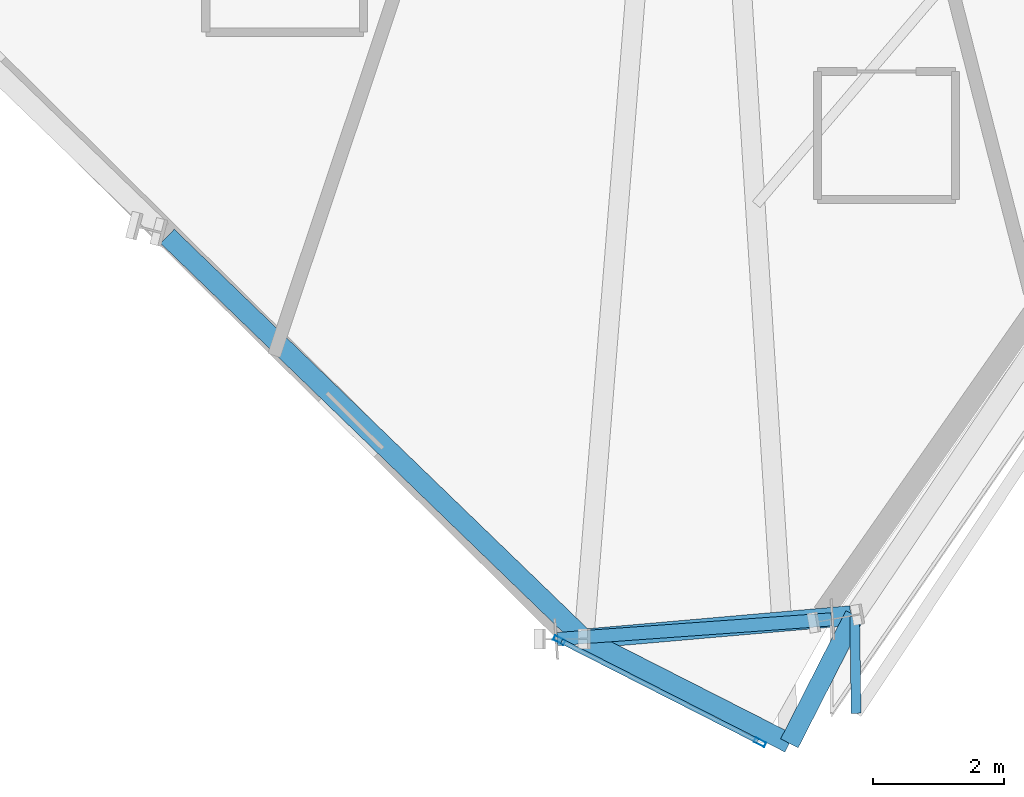
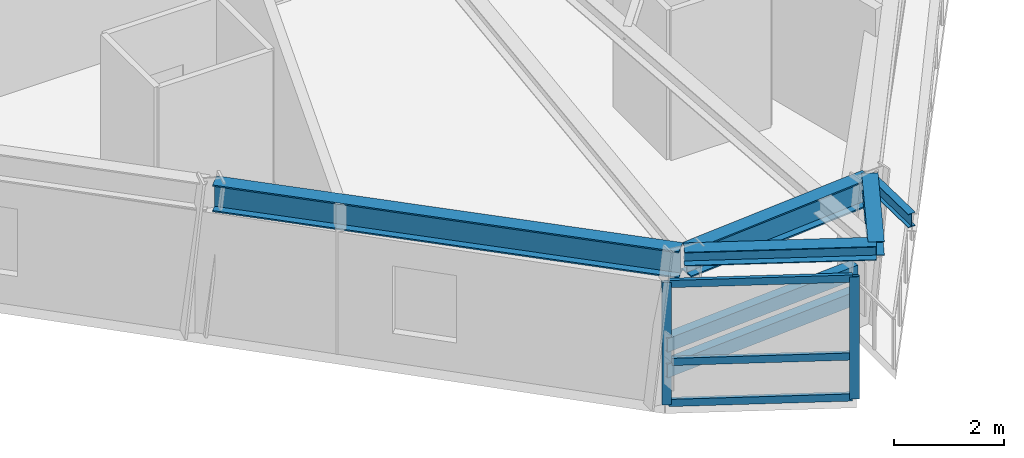
# One storey, part 2 of 13: 7 members, 5 beams, 1 element without a shape of its own.
"""IFC4 building model written with IfcOpenShell, lengths in metres."""

from ifc_helpers import new_model, si_unit, direction, frame, origin, origin_2d, place, context, subcontext, project, spatial, hollow_rectangle, i_section, extrude, source, transform, mapped, material, material_profile, profile_set, type_object, element, aggregate, save


model = new_model("IFC4")

# Units and contexts
model_context = context("Model", 3, precision=1e-05, world=origin(), true_north=direction((0.0, 1.0)))
body_context = subcontext(model_context, "Body", "Model", "MODEL_VIEW")
ifc_project = project(units=[si_unit("LENGTHUNIT", "METRE"), si_unit("AREAUNIT", "SQUARE_METRE"), si_unit("VOLUMEUNIT", "CUBIC_METRE"), si_unit("PLANEANGLEUNIT", "RADIAN"), si_unit("MASSUNIT", "GRAM", prefix="KILO")], contexts=[model_context])

# Site, building, storey
site_placement = place(None, origin())
site = spatial("IfcSite", under=ifc_project, at=site_placement, CompositionType="ELEMENT")
building_placement = place(site_placement, origin())
building = spatial("IfcBuilding", under=site, at=building_placement, Name="Olszyna Solenne Hotel", CompositionType="ELEMENT")
storey_placement = place(building_placement, frame((0.0, 0.0, 189.199951171875)))
storey = spatial("IfcBuildingStorey", under=building, at=storey_placement, Name="L50", CompositionType="ELEMENT", Elevation=189.199951171875)

# Beams
ifc_material_1 = material(Name="Steel S355J2", Category="steel")
ifc_material_profile_1 = material_profile(ifc_material_1, i_section(OverallWidth=0.300048828125, OverallDepth=0.60009765625, WebThickness=0.015380859375, FlangeThickness=0.030029296875, at=origin_2d()), Name="HEB 600", Category="load-bearing")
ifc_profile_set_1 = profile_set([ifc_material_profile_1], Name="Steel S355J2")
beam_type_1 = type_object("IfcBeamType", Name="BM-S2", PredefinedType="BEAM", material=ifc_profile_set_1)
shared_shape_1 = source(origin(), body_context, "Body", "SweptSolid", [
    extrude(i_section(OverallWidth=0.300048828125, OverallDepth=0.60009765625, WebThickness=0.015380859375, FlangeThickness=0.030029296875, at=origin_2d()), origin(), (0.0, 0.0, 1.0), 8.76220703125),
])
beam_1_placement = place(storey_placement, frame((29.72119140625, 8.52197265625, 3.030029296875), z_axis=(0.718999978787, -0.695010093814, 0.0), x_axis=(0.695010093814, 0.718999978787, 0.0)))
element("IfcBeam", 1, at=beam_1_placement, inside=storey, type_object=beam_type_1, Name="Perimeter spandrel beam BM-S2 B-L50-1489", PredefinedType="BEAM", context=body_context, shape_type="MappedRepresentation", body=[
    mapped(shared_shape_1, transform((0.0, 0.0, 0.0), x_axis=(1.0, 0.0, 0.0), y_axis=(0.0, 1.0, 0.0), z_axis=(0.0, 0.0, 1.0), scale=1.0)),
])
shared_shape_2 = source(origin(), body_context, "Body", "SweptSolid", [
    extrude(i_section(OverallWidth=0.300048828125, OverallDepth=0.60009765625, WebThickness=0.015380859375, FlangeThickness=0.030029296875, at=origin_2d()), origin(), (0.0, 0.0, 1.0), 4.017578125),
])
beam_2_placement = place(storey_placement, frame((36.124267578125, 2.3955078125, 3.030029296875), z_axis=(0.996190484705, 0.087203888584, 0.0), x_axis=(-0.087203888584, 0.996190484705, 0.0)))
element("IfcBeam", 2, at=beam_2_placement, inside=storey, type_object=beam_type_1, Name="Perimeter spandrel beam BM-S2 B-L50-1490", PredefinedType="BEAM", context=body_context, shape_type="MappedRepresentation", body=[
    mapped(shared_shape_2, transform((0.0, 0.0, 0.0), x_axis=(1.0, 0.0, 0.0), y_axis=(0.0, 1.0, 0.0), z_axis=(0.0, 0.0, 1.0), scale=1.0)),
])
ifc_material_profile_2 = material_profile(ifc_material_1, i_section(OverallWidth=0.300048828125, OverallDepth=0.31005859375, WebThickness=0.009033203125, FlangeThickness=0.015380859375, at=origin_2d()), Name="HEA 320", Category="load-bearing")
ifc_profile_set_2 = profile_set([ifc_material_profile_2], Name="Steel S355J2")
beam_type_2 = type_object("IfcBeamType", Name="BM-G3", PredefinedType="BEAM", material=ifc_profile_set_2)
shared_shape_3 = source(origin(), body_context, "Body", "SweptSolid", [
    extrude(i_section(OverallWidth=0.300048828125, OverallDepth=0.31005859375, WebThickness=0.009033203125, FlangeThickness=0.015380859375, at=origin_2d()), origin(), (0.0, 0.0, 1.0), 3.509521484375),
])
beam_3_placement = place(storey_placement, frame((36.064453125, 2.390380859375, 3.175048828125), z_axis=(0.891429905263, -0.453158607998, 0.0), x_axis=(0.453158607998, 0.891429905263, 0.0)))
element("IfcBeam", 3, at=beam_3_placement, inside=storey, type_object=beam_type_2, Name="Prism side edge beam BM-G3 B-L50-1503", PredefinedType="BEAM", context=body_context, shape_type="MappedRepresentation", body=[
    mapped(shared_shape_3, transform((0.0, 0.0, 0.0), x_axis=(1.0, 0.0, 0.0), y_axis=(0.0, 1.0, 0.0), z_axis=(0.0, 0.0, 1.0), scale=1.0)),
])
shared_shape_4 = source(origin(), body_context, "Body", "SweptSolid", [
    extrude(i_section(OverallWidth=0.300048828125, OverallDepth=0.31005859375, WebThickness=0.009033203125, FlangeThickness=0.015380859375, at=origin_2d()), origin(), (0.0, 0.0, 1.0), 2.189453125),
])
beam_4_placement = place(storey_placement, frame((40.186279296875, 2.751220703125, 3.175048828125), z_axis=(-0.45371363181, -0.891147541269, 0.0), x_axis=(0.891147541269, -0.45371363181, 0.0)))
element("IfcBeam", 4, at=beam_4_placement, inside=storey, type_object=beam_type_2, Name="Prism side edge beam BM-G3 B-L50-1504", PredefinedType="BEAM", context=body_context, shape_type="MappedRepresentation", body=[
    mapped(shared_shape_4, transform((0.0, 0.0, 0.0), x_axis=(1.0, 0.0, 0.0), y_axis=(0.0, 1.0, 0.0), z_axis=(0.0, 0.0, 1.0), scale=1.0)),
])
ifc_material_profile_3 = material_profile(ifc_material_1, i_section(OverallWidth=0.14990234375, OverallDepth=0.300048828125, WebThickness=0.007080078125, FlangeThickness=0.0107421875, at=origin_2d()), Name="IPE 300", Category="load-bearing")
ifc_profile_set_3 = profile_set([ifc_material_profile_3], Name="Steel S355J2")
beam_type_3 = type_object("IfcBeamType", Name="JS-02", PredefinedType="JOIST", material=ifc_profile_set_3)
shared_shape_5 = source(origin(), body_context, "Body", "SweptSolid", [
    extrude(i_section(OverallWidth=0.14990234375, OverallDepth=0.300048828125, WebThickness=0.007080078125, FlangeThickness=0.0107421875, at=origin_2d()), origin(), (0.0, 0.0, 1.0), 1.473388671875),
])
beam_5_placement = place(storey_placement, frame((40.1865234375, 2.731201171875, 3.179931640625), z_axis=(0.015079491733, -0.999886298, 0.0), x_axis=(0.999886298, 0.015079491733, 0.0)))
element("IfcBeam", 5, at=beam_5_placement, inside=storey, type_object=beam_type_3, Name="Loggia side bracket JS-02 B-L50-1511", PredefinedType="JOIST", context=body_context, shape_type="MappedRepresentation", body=[
    mapped(shared_shape_5, transform((0.0, 0.0, 0.0), x_axis=(1.0, 0.0, 0.0), y_axis=(0.0, 1.0, 0.0), z_axis=(0.0, 0.0, 1.0), scale=1.0)),
])

# Members
ifc_material_profile_4 = material_profile(ifc_material_1, hollow_rectangle(XDim=0.199951171875, YDim=0.300048828125, WallThickness=0.01611328125, at=origin_2d()), Name="RHS 300x200x16", Category="load-bearing")
ifc_profile_set_4 = profile_set([ifc_material_profile_4], Name="Steel S355J2")
member_type_1 = type_object("IfcMemberType", Name="CH-PR1", PredefinedType="CHORD", material=ifc_profile_set_4)
shared_shape_6 = source(origin(), body_context, "Body", "SweptSolid", [
    extrude(hollow_rectangle(XDim=0.199951171875, YDim=0.300048828125, WallThickness=0.01611328125, at=origin_2d()), origin(), (0.0, 0.0, 1.0), 4.188720703125),
])
for number, where, z_axis, x_axis, name in (
    (6, (35.656005859375, 2.388427734375, 1.35009765625), (0.997439432244, 0.071516284892, 0.0), (-0.071516284892, 0.997439432244, 0.0), "Glass-prism tie chord CH-PR1 M-L50-PR1"),
    (7, (35.656005859375, 2.388427734375, 0.780029296875), (0.997439432244, 0.071516284892, 0.0), (-0.071516284892, 0.997439432244, 0.0), "Glass-prism tie chord CH-PR1 M-L50-PR2"),
):
    element("IfcMember", number, at=place(storey_placement, frame(where, z_axis=z_axis, x_axis=x_axis)), inside=storey, type_object=member_type_1, Name=name, PredefinedType="CHORD", context=body_context, shape_type="MappedRepresentation", body=[
        mapped(shared_shape_6, transform((0.0, 0.0, 0.0), x_axis=(1.0, 0.0, 0.0), y_axis=(0.0, 1.0, 0.0), z_axis=(0.0, 0.0, 1.0), scale=1.0)),
    ])

# Curtain wall, members
ifc_material_2 = material(Name="Anodised bronze aluminium", Category="aluminium")
curtain_wall_type = type_object("IfcCurtainWallType", Name="CW-SYS-5", PredefinedType="NOTDEFINED", material=ifc_material_2)
curtain_wall_placement = place(storey_placement, origin())
curtain_wall = element("IfcCurtainWall", 8, at=curtain_wall_placement, inside=storey, type_object=curtain_wall_type, Name="Unitised curtain wall CW-SYS-5 CW-L50-02", PredefinedType="NOTDEFINED")
ifc_material_profile_5 = material_profile(ifc_material_2, hollow_rectangle(XDim=0.074951171875, YDim=0.179931640625, WallThickness=0.00439453125, at=origin_2d()), Name="MULL 180x75x4.5", Category="load-bearing")
ifc_profile_set_5 = profile_set([ifc_material_profile_5], Name="Anodised bronze aluminium")
member_type_2 = type_object("IfcMemberType", Name="CW-M2", PredefinedType="MULLION", material=ifc_profile_set_5)
shared_shape_7 = source(origin(), body_context, "Body", "SweptSolid", [
    extrude(hollow_rectangle(XDim=0.074951171875, YDim=0.179931640625, WallThickness=0.00439453125, at=origin_2d()), origin(), (0.0, 0.0, 1.0), 2.72216796875),
])
member_1_placement = place(storey_placement, frame((35.689208984375, 2.37158203125, 0.0), z_axis=(0.0, 0.0, 1.0), x_axis=(0.45361005636, 0.891200267487, 0.0)))
member_1 = element("IfcMember", 9, at=member_1_placement, type_object=member_type_2, Name="Curtain-wall mullion CW-M2 CM-L50-02-01", PredefinedType="MULLION", context=body_context, shape_type="MappedRepresentation", body=[
    mapped(shared_shape_7, transform((0.0, 0.0, 0.0), x_axis=(1.0, 0.0, 0.0), y_axis=(0.0, 1.0, 0.0), z_axis=(0.0, 0.0, 1.0), scale=1.0)),
])
member_2_placement = place(storey_placement, frame((38.743408203125, 0.81689453125, 0.0), z_axis=(0.0, 0.0, 1.0), x_axis=(0.45361005636, 0.891200267487, 0.0)))
member_2 = element("IfcMember", 10, at=member_2_placement, type_object=member_type_2, Name="Curtain-wall mullion CW-M2 CM-L50-02-02", PredefinedType="MULLION", context=body_context, shape_type="MappedRepresentation", body=[
    mapped(shared_shape_7, transform((0.0, 0.0, 0.0), x_axis=(1.0, 0.0, 0.0), y_axis=(0.0, 1.0, 0.0), z_axis=(0.0, 0.0, 1.0), scale=1.0)),
])
ifc_material_profile_6 = material_profile(ifc_material_2, hollow_rectangle(XDim=0.074951171875, YDim=0.159912109375, WallThickness=0.00390625, at=origin_2d()), Name="TRAN 160x75x4", Category="load-bearing")
ifc_profile_set_6 = profile_set([ifc_material_profile_6], Name="Anodised bronze aluminium")
member_type_3 = type_object("IfcMemberType", Name="CW-T1", PredefinedType="USERDEFINED", material=ifc_profile_set_6)
shared_shape_8 = source(origin(), body_context, "Body", "SweptSolid", [
    extrude(hollow_rectangle(XDim=0.074951171875, YDim=0.159912109375, WallThickness=0.00390625, at=origin_2d()), origin(), (0.0, 0.0, 1.0), 3.35205078125),
])
member_3_placement = place(storey_placement, frame((35.72265625, 2.3544921875, 0.03759765625), z_axis=(0.891199520281, -0.45361152438, 0.0), x_axis=(0.45361152438, 0.891199520281, 0.0)))
member_3 = element("IfcMember", 11, at=member_3_placement, type_object=member_type_3, Name="Curtain-wall transom CW-T1 CT-L50-02-01", ObjectType="TRANSOM", PredefinedType="USERDEFINED", context=body_context, shape_type="MappedRepresentation", body=[
    mapped(shared_shape_8, transform((0.0, 0.0, 0.0), x_axis=(1.0, 0.0, 0.0), y_axis=(0.0, 1.0, 0.0), z_axis=(0.0, 0.0, 1.0), scale=1.0)),
])
member_4_placement = place(storey_placement, frame((35.72265625, 2.3544921875, 0.949951171875), z_axis=(0.891199520281, -0.45361152438, 0.0), x_axis=(0.45361152438, 0.891199520281, 0.0)))
member_4 = element("IfcMember", 12, at=member_4_placement, type_object=member_type_3, Name="Curtain-wall transom CW-T1 CT-L50-02-02", ObjectType="TRANSOM", PredefinedType="USERDEFINED", context=body_context, shape_type="MappedRepresentation", body=[
    mapped(shared_shape_8, transform((0.0, 0.0, 0.0), x_axis=(1.0, 0.0, 0.0), y_axis=(0.0, 1.0, 0.0), z_axis=(0.0, 0.0, 1.0), scale=1.0)),
])
member_5_placement = place(storey_placement, frame((35.72265625, 2.3544921875, 2.6845703125), z_axis=(0.891199520281, -0.45361152438, 0.0), x_axis=(0.45361152438, 0.891199520281, 0.0)))
member_5 = element("IfcMember", 13, at=member_5_placement, type_object=member_type_3, Name="Curtain-wall transom CW-T1 CT-L50-02-03", ObjectType="TRANSOM", PredefinedType="USERDEFINED", context=body_context, shape_type="MappedRepresentation", body=[
    mapped(shared_shape_8, transform((0.0, 0.0, 0.0), x_axis=(1.0, 0.0, 0.0), y_axis=(0.0, 1.0, 0.0), z_axis=(0.0, 0.0, 1.0), scale=1.0)),
])
aggregate(curtain_wall, [member_1, member_2, member_3, member_4, member_5])

save(model, "model.ifc")
